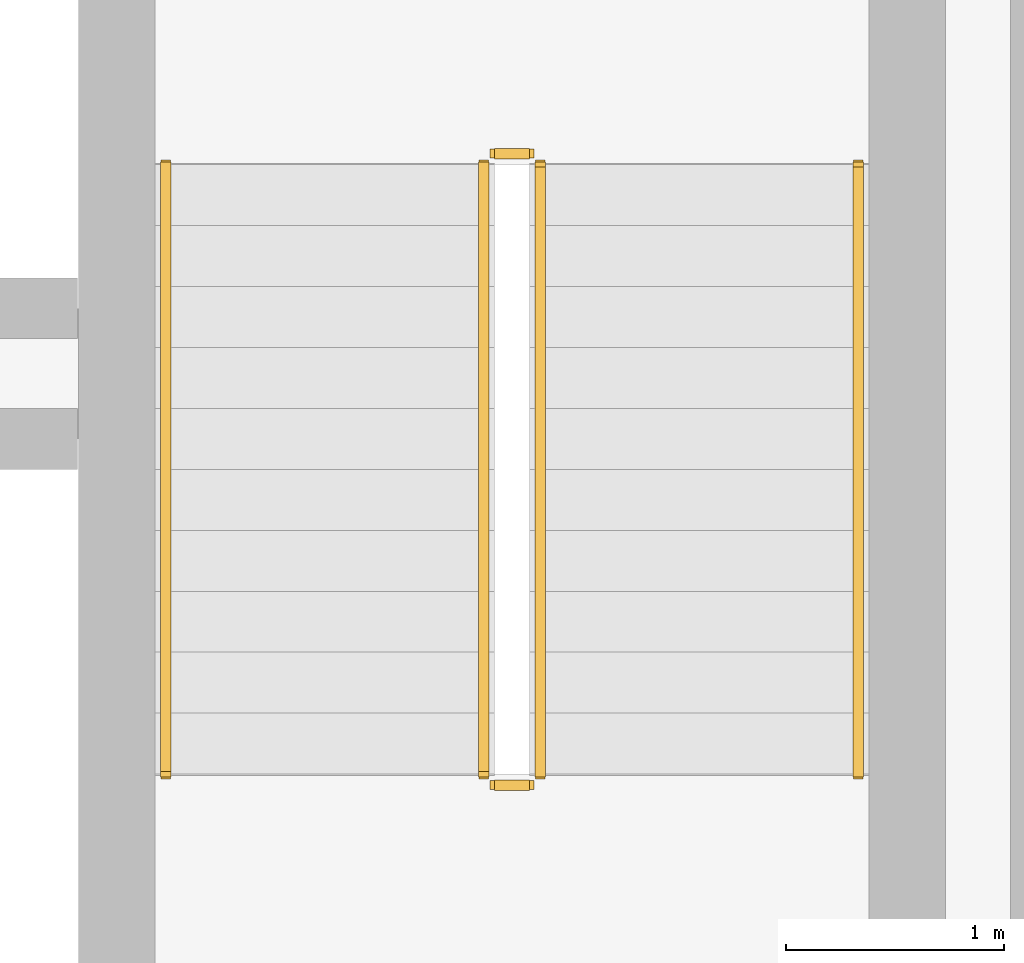
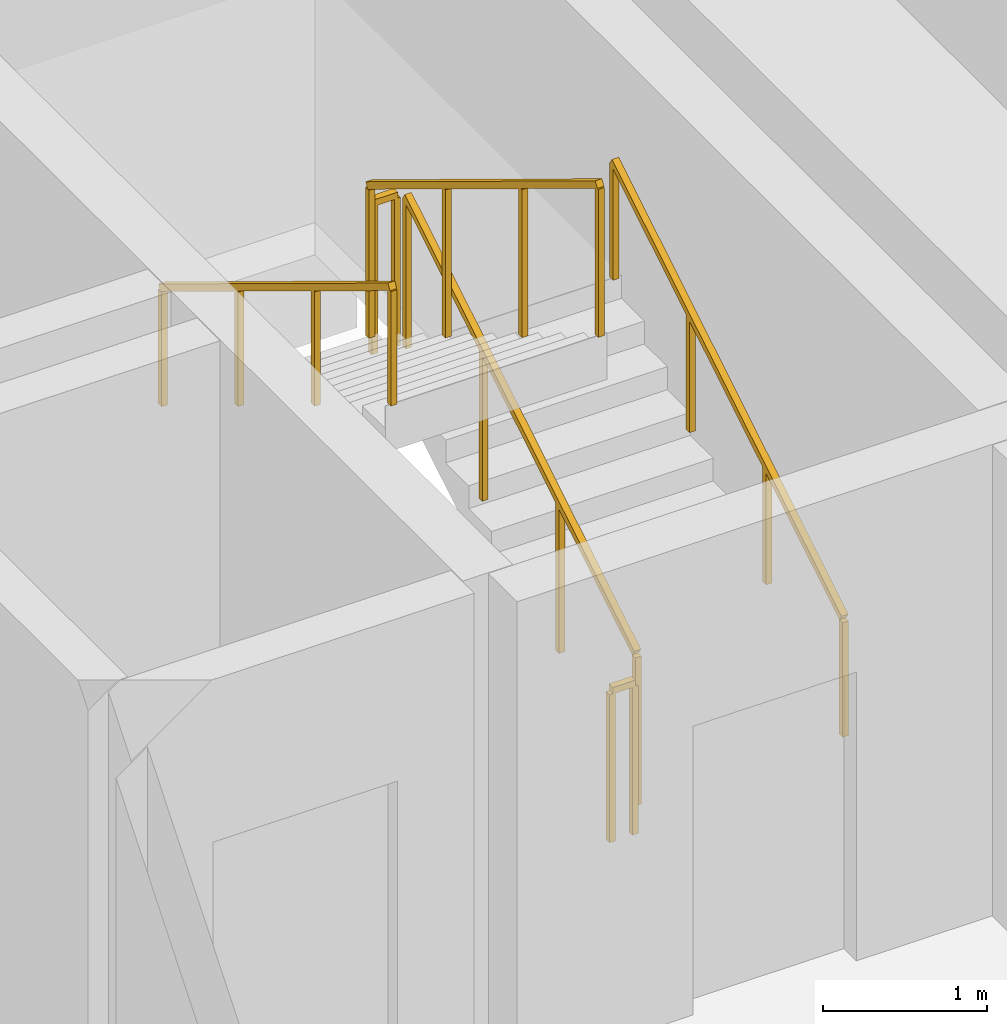
# One storey, part 15 of 15: 6 railings.
"""IFC4 building model written with IfcOpenShell, lengths in metres."""

from ifc_helpers import new_model, si_unit, direction, frame, origin, origin_2d, place, context, subcontext, project, spatial, rectangle, extrude, material, type_object, element, save


model = new_model("IFC4")

# Units and contexts
model_context = context("Model", 3, precision=1e-05, world=origin(), true_north=direction((0.0, 1.0)))
body_context = subcontext(model_context, "Body", "Model", "MODEL_VIEW")
ifc_project = project(units=[si_unit("LENGTHUNIT", "METRE"), si_unit("AREAUNIT", "SQUARE_METRE"), si_unit("VOLUMEUNIT", "CUBIC_METRE"), si_unit("PLANEANGLEUNIT", "RADIAN"), si_unit("MASSUNIT", "GRAM", prefix="KILO")], contexts=[model_context])

# Site, building, storey
site_placement = place(None, origin())
site = spatial("IfcSite", under=ifc_project, at=site_placement, CompositionType="ELEMENT")
building_placement = place(site_placement, origin())
building = spatial("IfcBuilding", under=site, at=building_placement, Name="Kaelvorn Grand Hotel", CompositionType="ELEMENT")
storey_placement = place(building_placement, frame((0.0, 0.0, 57.64990234375)))
storey = spatial("IfcBuildingStorey", under=building, at=storey_placement, Name="L12", CompositionType="ELEMENT", Elevation=57.64990234375)

# Railings
ifc_material = material(Name="Stainless Steel", Category="steel")
railing_type_1 = type_object("IfcRailingType", Name="RL-HANDRAIL-900", PredefinedType="HANDRAIL", material=ifc_material)
railing_1_placement = place(storey_placement, frame((66.550048828125, 41.760009765625, 0.170654296875)))
element("IfcRailing", 1, at=railing_1_placement, inside=storey, type_object=railing_type_1, Name="L12 ST3 stair handrail 1", PredefinedType="HANDRAIL", context=body_context, shape_type="SweptSolid", body=[
    extrude(rectangle(XDim=0.048095703125, YDim=0.048095703125, at=origin_2d()), frame((0.0, 0.0, 0.8759765625), z_axis=(0.0, 0.854202870247, 0.519939858505), x_axis=(-1.0, 0.0, 0.0)), (0.0, 0.0, 1.0), 3.278076171875),
    extrude(rectangle(XDim=0.0419921875, YDim=0.0419921875, at=origin_2d()), origin(), (0.0, 0.0, 1.0), 0.851806640625),
    extrude(rectangle(XDim=0.0419921875, YDim=0.0419921875, at=origin_2d()), frame((0.0, 0.933349609375, 0.568115234375)), (0.0, 0.0, 1.0), 0.851806640625),
    extrude(rectangle(XDim=0.0419921875, YDim=0.0419921875, at=origin_2d()), frame((0.0, 1.86669921875, 1.13623046875)), (0.0, 0.0, 1.0), 0.851806640625),
    extrude(rectangle(XDim=0.0419921875, YDim=0.0419921875, at=origin_2d()), frame((0.0, 2.800048828125, 1.704345703125)), (0.0, 0.0, 1.0), 0.851806640625),
])
railing_2_placement = place(storey_placement, frame((63.3701171875, 44.56005859375, 2.045654296875)))
element("IfcRailing", 2, at=railing_2_placement, inside=storey, type_object=railing_type_1, Name="L12 ST3 stair handrail 2", PredefinedType="HANDRAIL", context=body_context, shape_type="SweptSolid", body=[
    extrude(rectangle(XDim=0.048095703125, YDim=0.048095703125, at=origin_2d()), frame((0.0, 0.0, 0.8759765625), z_axis=(0.0, -0.854202870247, 0.519939858505), x_axis=(1.0, 0.0, 0.0)), (0.0, 0.0, 1.0), 3.278076171875),
    extrude(rectangle(XDim=0.0419921875, YDim=0.0419921875, at=origin_2d()), origin(), (0.0, 0.0, 1.0), 0.851806640625),
    extrude(rectangle(XDim=0.0419921875, YDim=0.0419921875, at=origin_2d()), frame((0.0, -0.933349609375, 0.568115234375)), (0.0, 0.0, 1.0), 0.851806640625),
    extrude(rectangle(XDim=0.0419921875, YDim=0.0419921875, at=origin_2d()), frame((0.0, -1.86669921875, 1.13623046875)), (0.0, 0.0, 1.0), 0.851806640625),
    extrude(rectangle(XDim=0.0419921875, YDim=0.0419921875, at=origin_2d()), frame((0.0, -2.800048828125, 1.704345703125)), (0.0, 0.0, 1.0), 0.851806640625),
])
railing_type_2 = type_object("IfcRailingType", Name="RL-STAIR-GUARD-1150", PredefinedType="BALUSTRADE", material=ifc_material)
railing_3_placement = place(storey_placement, frame((65.090087890625, 41.760009765625, 0.170654296875)))
element("IfcRailing", 3, at=railing_3_placement, inside=storey, type_object=railing_type_2, Name="L12 ST3 stair guard 1", PredefinedType="BALUSTRADE", context=body_context, shape_type="SweptSolid", body=[
    extrude(rectangle(XDim=0.048095703125, YDim=0.048095703125, at=origin_2d()), frame((0.0, 0.0, 1.1259765625), z_axis=(0.0, 0.854202870247, 0.519939858505), x_axis=(-1.0, 0.0, 0.0)), (0.0, 0.0, 1.0), 3.278076171875),
    extrude(rectangle(XDim=0.0419921875, YDim=0.0419921875, at=origin_2d()), origin(), (0.0, 0.0, 1.0), 1.101806640625),
    extrude(rectangle(XDim=0.0419921875, YDim=0.0419921875, at=origin_2d()), frame((0.0, 0.933349609375, 0.568115234375)), (0.0, 0.0, 1.0), 1.101806640625),
    extrude(rectangle(XDim=0.0419921875, YDim=0.0419921875, at=origin_2d()), frame((0.0, 1.86669921875, 1.13623046875)), (0.0, 0.0, 1.0), 1.101806640625),
    extrude(rectangle(XDim=0.0419921875, YDim=0.0419921875, at=origin_2d()), frame((0.0, 2.800048828125, 1.704345703125)), (0.0, 0.0, 1.0), 1.101806640625),
])
railing_4_placement = place(storey_placement, frame((65.0400390625, 44.610107421875, 1.875)))
element("IfcRailing", 4, at=railing_4_placement, inside=storey, type_object=railing_type_2, Name="L12 ST3 stair guard 2", PredefinedType="BALUSTRADE", context=body_context, shape_type="SweptSolid", body=[
    extrude(rectangle(XDim=0.048095703125, YDim=0.048095703125, at=origin_2d()), frame((0.0, 0.0, 1.1259765625), z_axis=(-1.0, 0.0, 0.0), x_axis=(0.0, -1.0, 0.0)), (0.0, 0.0, 1.0), 0.16015625),
    extrude(rectangle(XDim=0.0419921875, YDim=0.0419921875, at=origin_2d()), origin(), (0.0, 0.0, 1.0), 1.101806640625),
    extrude(rectangle(XDim=0.0419921875, YDim=0.0419921875, at=origin_2d()), frame((-0.16015625, 0.0, 0.0)), (0.0, 0.0, 1.0), 1.101806640625),
])
railing_5_placement = place(storey_placement, frame((64.830078125, 44.56005859375, 2.045654296875)))
element("IfcRailing", 5, at=railing_5_placement, inside=storey, type_object=railing_type_2, Name="L12 ST3 stair guard 3", PredefinedType="BALUSTRADE", context=body_context, shape_type="SweptSolid", body=[
    extrude(rectangle(XDim=0.048095703125, YDim=0.048095703125, at=origin_2d()), frame((0.0, 0.0, 1.1259765625), z_axis=(0.0, -0.854202870247, 0.519939858505), x_axis=(1.0, 0.0, 0.0)), (0.0, 0.0, 1.0), 3.278076171875),
    extrude(rectangle(XDim=0.0419921875, YDim=0.0419921875, at=origin_2d()), origin(), (0.0, 0.0, 1.0), 1.101806640625),
    extrude(rectangle(XDim=0.0419921875, YDim=0.0419921875, at=origin_2d()), frame((0.0, -0.933349609375, 0.568115234375)), (0.0, 0.0, 1.0), 1.101806640625),
    extrude(rectangle(XDim=0.0419921875, YDim=0.0419921875, at=origin_2d()), frame((0.0, -1.86669921875, 1.13623046875)), (0.0, 0.0, 1.0), 1.101806640625),
    extrude(rectangle(XDim=0.0419921875, YDim=0.0419921875, at=origin_2d()), frame((0.0, -2.800048828125, 1.704345703125)), (0.0, 0.0, 1.0), 1.101806640625),
])
railing_6_placement = place(storey_placement, frame((65.0400390625, 41.7099609375, 0.0)))
element("IfcRailing", 6, at=railing_6_placement, inside=storey, type_object=railing_type_2, Name="L12 ST3 stair guard 4", PredefinedType="BALUSTRADE", context=body_context, shape_type="SweptSolid", body=[
    extrude(rectangle(XDim=0.048095703125, YDim=0.048095703125, at=origin_2d()), frame((0.0, 0.0, 1.1259765625), z_axis=(-1.0, 0.0, 0.0), x_axis=(0.0, -1.0, 0.0)), (0.0, 0.0, 1.0), 0.16015625),
    extrude(rectangle(XDim=0.0419921875, YDim=0.0419921875, at=origin_2d()), origin(), (0.0, 0.0, 1.0), 1.101806640625),
    extrude(rectangle(XDim=0.0419921875, YDim=0.0419921875, at=origin_2d()), frame((-0.16015625, 0.0, 0.0)), (0.0, 0.0, 1.0), 1.101806640625),
])

save(model, "model.ifc")
